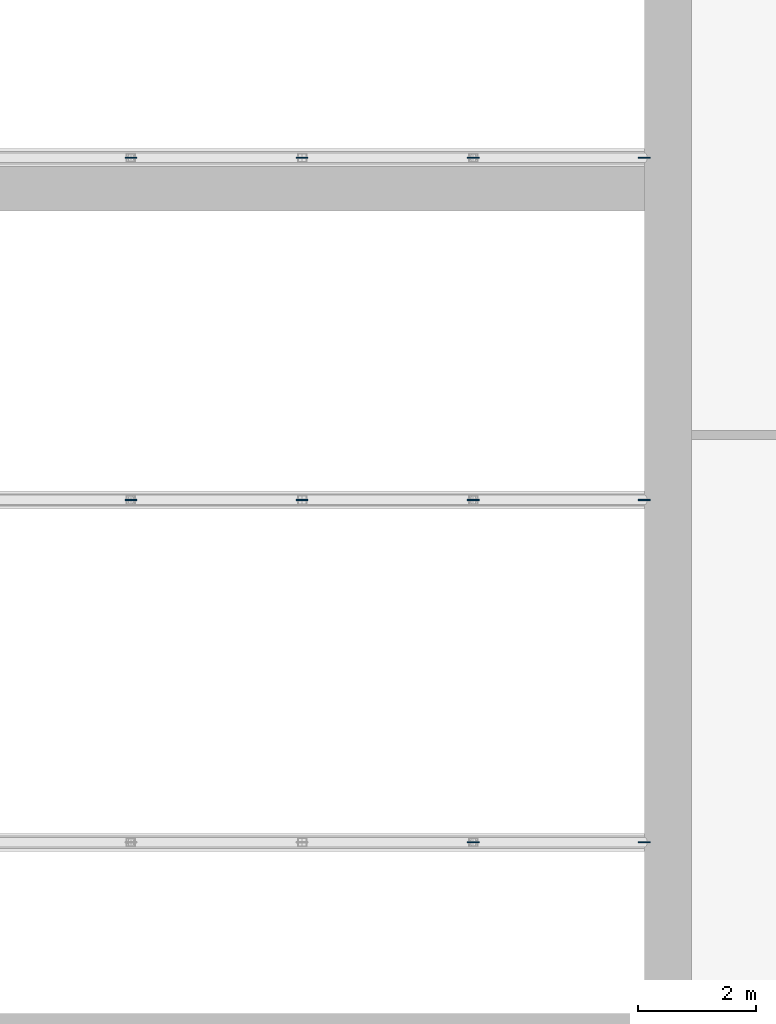
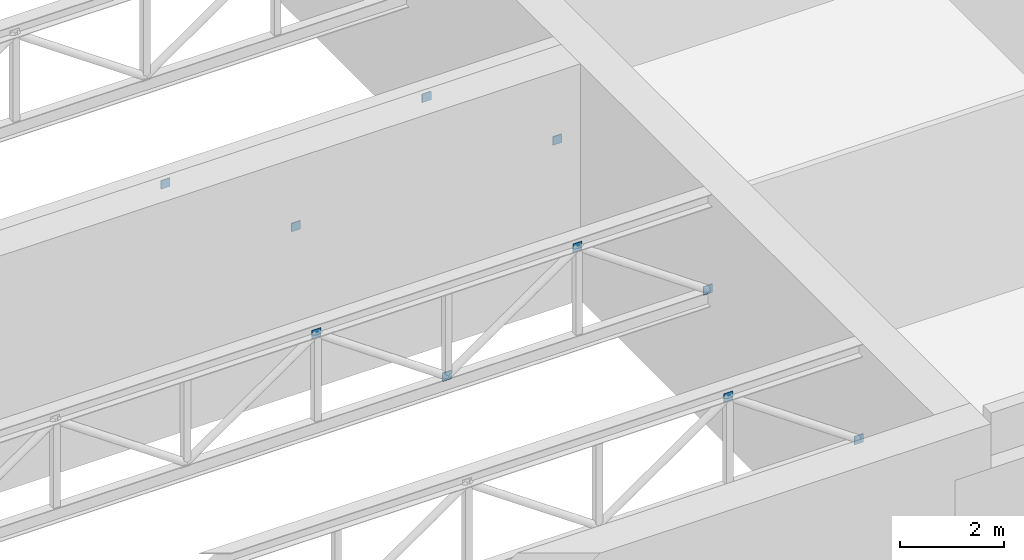
# One storey, part 11 of 35: 10 plates.
"""IFC4 building model written with IfcOpenShell, lengths in metres."""

from ifc_helpers import new_model, si_unit, direction, frame, origin, origin_2d, place, context, subcontext, project, spatial, rectangle, extrude, material, layer, layer_set, type_object, element, save


model = new_model("IFC4")

# Units and contexts
model_context = context("Model", 3, precision=1e-05, world=origin(), true_north=direction((0.0, 1.0)))
body_context = subcontext(model_context, "Body", "Model", "MODEL_VIEW")
ifc_project = project(units=[si_unit("LENGTHUNIT", "METRE"), si_unit("AREAUNIT", "SQUARE_METRE"), si_unit("VOLUMEUNIT", "CUBIC_METRE"), si_unit("PLANEANGLEUNIT", "RADIAN"), si_unit("MASSUNIT", "GRAM", prefix="KILO")], contexts=[model_context])

# Site, building, storey
site_placement = place(None, origin())
site = spatial("IfcSite", under=ifc_project, at=site_placement, CompositionType="ELEMENT")
building_placement = place(site_placement, origin())
building = spatial("IfcBuilding", under=site, at=building_placement, Name="Kiln Ring Residences", CompositionType="ELEMENT")
storey_placement = place(building_placement, frame((0.0, 0.0, 20.89990234375)))
storey = spatial("IfcBuildingStorey", under=building, at=storey_placement, Name="L04", CompositionType="ELEMENT", Elevation=20.89990234375)

# Plates
ifc_material = material(Name="Steel S460", Category="steel")
ifc_layer = layer(ifc_material, 0.02001953125)
ifc_layer_set = layer_set([ifc_layer], Name="Brace gusset plate 20")
plate_type = type_object("IfcPlateType", Name="Brace gusset plate 20", PredefinedType="SHEET", material=ifc_layer_set)
for number, where, z_axis, x_axis, name in (
    (1, (8.699951171875, -156.300048828125, 5.14208984375), (0.0, 0.0, 1.0), (1.0, 0.0, 0.0), "Brace gusset plate 1.7"),
    (2, (11.60009765625, -156.300048828125, 3.125), (0.0, 0.0, 1.0), (1.0, 0.0, 0.0), "Brace gusset plate 1.8"),
    (3, (2.89990234375, -150.5, 5.14208984375), (0.0, 0.0, 1.0), (1.0, 0.0, 0.0), "Brace gusset plate 2.5"),
    (4, (5.800048828125, -150.5, 3.125), (0.0, 0.0, 1.0), (1.0, 0.0, 0.0), "Brace gusset plate 2.6"),
    (5, (8.699951171875, -150.5, 5.14208984375), (0.0, 0.0, 1.0), (1.0, 0.0, 0.0), "Brace gusset plate 2.7"),
    (6, (11.60009765625, -150.5, 3.125), (0.0, 0.0, 1.0), (1.0, 0.0, 0.0), "Brace gusset plate 2.8"),
    (7, (2.89990234375, -144.699951171875, 5.14208984375), (0.0, 0.0, 1.0), (1.0, 0.0, 0.0), "Brace gusset plate 3.5"),
    (8, (5.800048828125, -144.699951171875, 3.125), (0.0, 0.0, 1.0), (1.0, 0.0, 0.0), "Brace gusset plate 3.6"),
    (9, (8.699951171875, -144.699951171875, 5.14208984375), (0.0, 0.0, 1.0), (1.0, 0.0, 0.0), "Brace gusset plate 3.7"),
    (10, (11.60009765625, -144.699951171875, 3.125), (0.0, 0.0, 1.0), (1.0, 0.0, 0.0), "Brace gusset plate 3.8"),
):
    element("IfcPlate", number, at=place(storey_placement, frame(where, z_axis=z_axis, x_axis=x_axis)), inside=storey, type_object=plate_type, Name=name, PredefinedType="SHEET", context=body_context, shape_type="SweptSolid", body=[
        extrude(rectangle(XDim=0.199951171875, YDim=0.02001953125, at=origin_2d()), origin(), (0.0, 0.0, 1.0), 0.199951171875),
    ])

save(model, "model.ifc")
